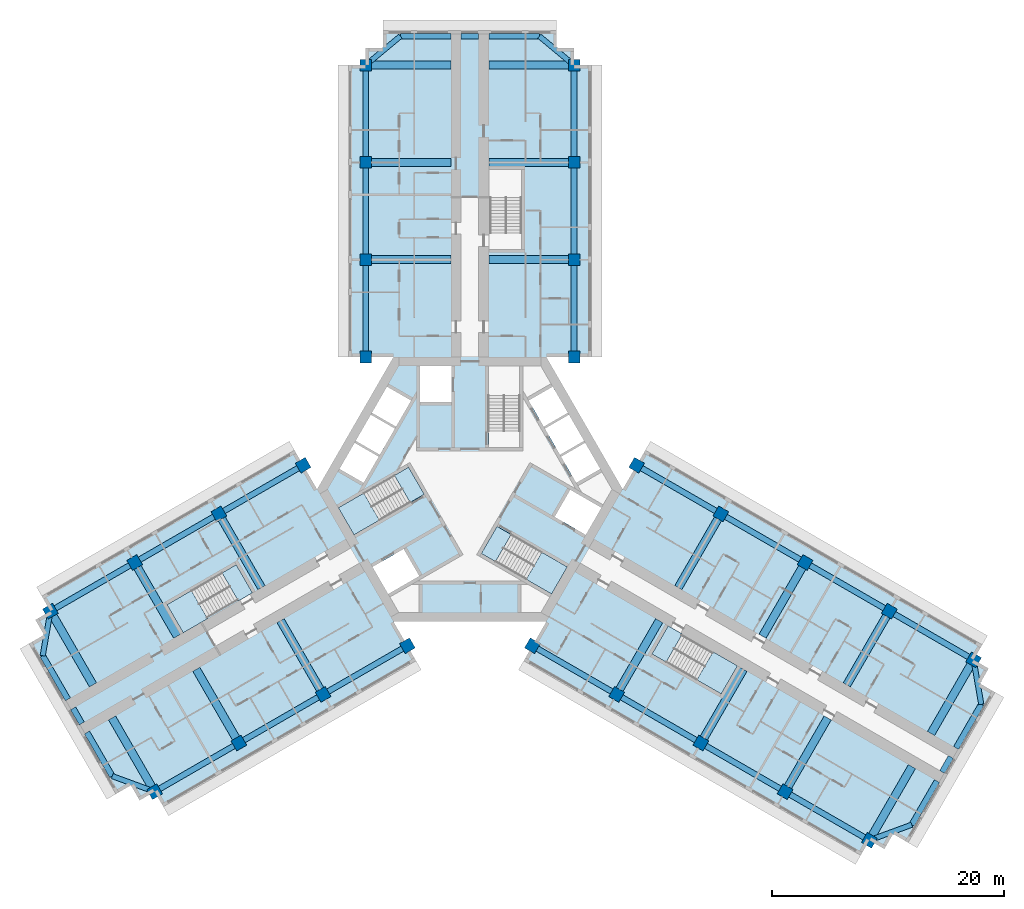
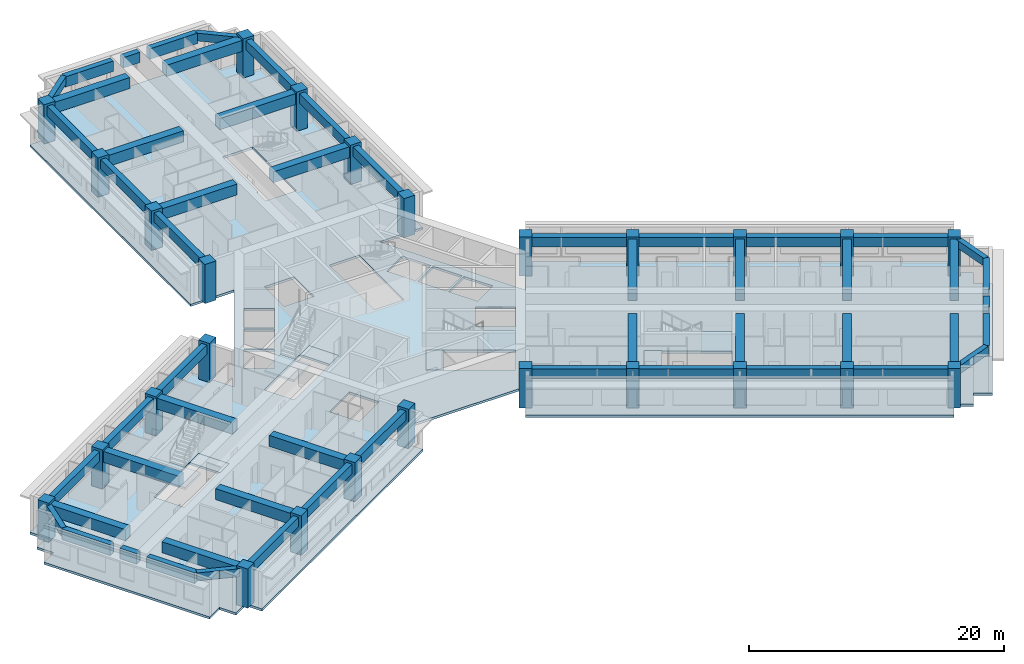
# One storey, part 1 of 14: 55 beams, 26 columns, 9 slabs, 4 elements without a shape of their own.
"""IFC4 building model written with IfcOpenShell, lengths in metres."""

from ifc_helpers import new_model, si_unit, direction, frame, origin, origin_2d, place, context, subcontext, project, spatial, polyline, rectangle, outline, extrude, material, layer, layer_set, material_profile, profile_set, type_object, element, aggregate, save


model = new_model("IFC4")

# Units and contexts
model_context = context("Model", 3, precision=1e-05, world=origin(), true_north=direction((0.0, 1.0)))
body_context = subcontext(model_context, "Body", "Model", "MODEL_VIEW")
ifc_project = project(units=[si_unit("LENGTHUNIT", "METRE"), si_unit("AREAUNIT", "SQUARE_METRE"), si_unit("VOLUMEUNIT", "CUBIC_METRE"), si_unit("PLANEANGLEUNIT", "RADIAN"), si_unit("MASSUNIT", "GRAM", prefix="KILO")], contexts=[model_context])

# Site, building, storey
site_placement = place(None, origin())
site = spatial("IfcSite", under=ifc_project, at=site_placement, CompositionType="ELEMENT")
building_placement = place(site_placement, origin())
building = spatial("IfcBuilding", under=site, at=building_placement, Name="Impinga Residences", CompositionType="ELEMENT")
storey_placement = place(building_placement, frame((0.0, 0.0, 147.25)))
storey = spatial("IfcBuildingStorey", under=building, at=storey_placement, Name="L36", CompositionType="ELEMENT", Elevation=147.25)

# Columns
ifc_material_1 = material(Name="Concrete C60/75", Category="concrete")
ifc_material_profile_1 = material_profile(ifc_material_1, rectangle(XDim=1.0, YDim=1.0, at=origin_2d()), Name="RC 1000x1000")
ifc_profile_set_1 = profile_set([ifc_material_profile_1], Name="Concrete C60/75")
column_type = type_object("IfcColumnType", Name="C3 1000x1000 column", PredefinedType="COLUMN", material=ifc_profile_set_1)
for number, where, z_axis, x_axis, name in (
    (1, (-9.0, 11.431640625, 0.0), (0.0, 0.0, 1.0), (1.0, 0.0, 0.0), "Column C3 N1/NA L36"),
    (2, (9.0, 11.431640625, 0.0), (0.0, 0.0, 1.0), (1.0, 0.0, 0.0), "Column C3 N1/NF L36"),
    (3, (-9.0, 19.83154296875, 0.0), (0.0, 0.0, 1.0), (1.0, 0.0, 0.0), "Column C3 N2/NA L36"),
    (4, (9.0, 19.83154296875, 0.0), (0.0, 0.0, 1.0), (1.0, 0.0, 0.0), "Column C3 N2/NF L36"),
    (5, (-9.0, 28.2314453125, 0.0), (0.0, 0.0, 1.0), (1.0, 0.0, 0.0), "Column C3 N3/NA L36"),
    (6, (9.0, 28.2314453125, 0.0), (0.0, 0.0, 1.0), (1.0, 0.0, 0.0), "Column C3 N3/NF L36"),
    (7, (-9.0, 36.631591796875, 0.0), (0.0, 0.0, 1.0), (1.0, 0.0, 0.0), "Column C3 N4/NA L36"),
    (8, (9.0, 36.631591796875, 0.0), (0.0, 0.0, 1.0), (1.0, 0.0, 0.0), "Column C3 N4/NF L36"),
    (9, (-5.39990234375, -13.510009765625, 0.0), (0.0, 0.0, 1.0), (-0.5, 0.866025403784, 0.0), "Column C3 W1/WA L36"),
    (10, (-14.39990234375, 2.078369140625, 0.0), (0.0, 0.0, 1.0), (-0.5, 0.866025403784, 0.0), "Column C3 W1/WF L36"),
    (11, (-12.674560546875, -17.7099609375, 0.0), (0.0, 0.0, 1.0), (-0.5, 0.866025403784, 0.0), "Column C3 W2/WA L36"),
    (12, (-21.674560546875, -2.12158203125, 0.0), (0.0, 0.0, 1.0), (-0.5, 0.866025403784, 0.0), "Column C3 W2/WF L36"),
    (13, (-19.94921875, -21.909912109375, 0.0), (0.0, 0.0, 1.0), (-0.5, 0.866025403784, 0.0), "Column C3 W3/WA L36"),
    (14, (-28.94921875, -6.321533203125, 0.0), (0.0, 0.0, 1.0), (-0.5, 0.866025403784, 0.0), "Column C3 W3/WF L36"),
    (15, (-27.223876953125, -26.110107421875, 0.0), (0.0, 0.0, 1.0), (-0.5, 0.866025403784, 0.0), "Column C3 W4/WA L36"),
    (16, (-36.223876953125, -10.521484375, 0.0), (0.0, 0.0, 1.0), (-0.5, 0.866025403784, 0.0), "Column C3 W4/WF L36"),
    (17, (14.39990234375, 2.078369140625, 0.0), (0.0, 0.0, 1.0), (-0.5, -0.866025403784, 0.0), "Column C3 E1/EA L36"),
    (18, (5.39990234375, -13.510009765625, 0.0), (0.0, 0.0, 1.0), (-0.5, -0.866025403784, 0.0), "Column C3 E1/EF L36"),
    (19, (21.674560546875, -2.12158203125, 0.0), (0.0, 0.0, 1.0), (-0.5, -0.866025403784, 0.0), "Column C3 E2/EA L36"),
    (20, (12.674560546875, -17.7099609375, 0.0), (0.0, 0.0, 1.0), (-0.5, -0.866025403784, 0.0), "Column C3 E2/EF L36"),
    (21, (28.94921875, -6.321533203125, 0.0), (0.0, 0.0, 1.0), (-0.5, -0.866025403784, 0.0), "Column C3 E3/EA L36"),
    (22, (19.94921875, -21.909912109375, 0.0), (0.0, 0.0, 1.0), (-0.5, -0.866025403784, 0.0), "Column C3 E3/EF L36"),
    (23, (36.223876953125, -10.521484375, 0.0), (0.0, 0.0, 1.0), (-0.5, -0.866025403784, 0.0), "Column C3 E4/EA L36"),
    (24, (27.223876953125, -26.110107421875, 0.0), (0.0, 0.0, 1.0), (-0.5, -0.866025403784, 0.0), "Column C3 E4/EF L36"),
    (25, (43.49853515625, -14.721435546875, 0.0), (0.0, 0.0, 1.0), (-0.5, -0.866025403784, 0.0), "Column C3 E5/EA L36"),
    (26, (34.49853515625, -30.31005859375, 0.0), (0.0, 0.0, 1.0), (-0.5, -0.866025403784, 0.0), "Column C3 E5/EF L36"),
):
    element("IfcColumn", number, at=place(storey_placement, frame(where, z_axis=z_axis, x_axis=x_axis)), inside=storey, type_object=column_type, Name=name, PredefinedType="COLUMN", context=body_context, shape_type="SweptSolid", body=[
        extrude(rectangle(XDim=1.0, YDim=1.0, at=origin_2d()), origin(), (0.0, 0.0, 1.0), 3.75),
    ])

# Beams
ifc_material_profile_2 = material_profile(ifc_material_1, rectangle(XDim=0.449951171875, YDim=0.75, at=origin_2d()), Name="RC 450x750")
ifc_profile_set_2 = profile_set([ifc_material_profile_2], Name="Concrete C60/75")
beam_type_1 = type_object("IfcBeamType", Name="CB1 450x750 wing end cantilever beam", PredefinedType="BEAM", material=ifc_profile_set_2)
for number, where, z_axis, x_axis, name in (
    (27, (-9.0, 36.631591796875, 3.155029296875), (0.768221279597, 0.640184399664, 0.0), (-0.640184399664, 0.768221279597, 0.0), "Beam CB1 NB N4-NX level L37"),
    (28, (9.0, 36.631591796875, 3.155029296875), (-0.768221279597, 0.640184399664, 0.0), (-0.640184399664, -0.768221279597, 0.0), "Beam CB1 NE N4-NX level L37"),
    (29, (-27.223876953125, -26.110107421875, 3.155029296875), (-0.938520178725, 0.345224382289, 0.0), (-0.345224382289, -0.938520178725, 0.0), "Beam CB1 WB W4-WX level L37"),
):
    element("IfcBeam", number, at=place(storey_placement, frame(where, z_axis=z_axis, x_axis=x_axis)), inside=storey, type_object=beam_type_1, Name=name, PredefinedType="BEAM", context=body_context, shape_type="SweptSolid", body=[
        extrude(rectangle(XDim=0.449951171875, YDim=0.75, at=origin_2d()), origin(), (0.0, 0.0, 1.0), 3.905029296875),
    ])
for number, where, z_axis, x_axis, name in (
    (30, (-36.223876953125, -10.521484375, 3.155029296875), (-0.170296298948, -0.985392901621, 0.0), (0.985392901621, -0.170296298948, 0.0), "Beam CB1 WE W4-WX level L37"),
    (31, (43.49853515625, -14.721435546875, 3.155029296875), (0.170296298948, -0.985392901621, 0.0), (0.985392901621, 0.170296298948, 0.0), "Beam CB1 EB E5-EX level L37"),
):
    element("IfcBeam", number, at=place(storey_placement, frame(where, z_axis=z_axis, x_axis=x_axis)), inside=storey, type_object=beam_type_1, Name=name, PredefinedType="BEAM", context=body_context, shape_type="SweptSolid", body=[
        extrude(rectangle(XDim=0.449951171875, YDim=0.75, at=origin_2d()), origin(), (0.0, 0.0, 1.0), 3.9052734375),
    ])
beam_1_placement = place(storey_placement, frame((34.49853515625, -30.31005859375, 3.155029296875), z_axis=(0.938520178725, 0.345224382289, 0.0), x_axis=(-0.345224382289, 0.938520178725, 0.0)))
element("IfcBeam", 32, at=beam_1_placement, inside=storey, type_object=beam_type_1, Name="Beam CB1 EE E5-EX level L37", PredefinedType="BEAM", context=body_context, shape_type="SweptSolid", body=[
    extrude(rectangle(XDim=0.449951171875, YDim=0.75, at=origin_2d()), origin(), (0.0, 0.0, 1.0), 3.905029296875),
])
ifc_material_profile_3 = material_profile(ifc_material_1, rectangle(XDim=0.699951171875, YDim=1.050048828125, at=origin_2d()), Name="RC 700x1050")
ifc_profile_set_3 = profile_set([ifc_material_profile_3], Name="Concrete C60/75")
beam_type_2 = type_object("IfcBeamType", Name="CG1 700x1050 cross girder on a wing bay line", PredefinedType="BEAM", material=ifc_profile_set_3)
for number, where, z_axis, x_axis, name in (
    (33, (-1.64990234375, 19.83154296875, 3.0048828125), (-1.0, 0.0, 0.0), (0.0, -1.0, 0.0), "Beam CG1 N2 NC/NA level L37"),
    (34, (-1.64990234375, 28.2314453125, 3.0048828125), (-1.0, 0.0, 0.0), (0.0, -1.0, 0.0), "Beam CG1 N3 NC/NA level L37"),
    (35, (-1.64990234375, 36.631591796875, 3.0048828125), (-1.0, 0.0, 0.0), (0.0, -1.0, 0.0), "Beam CG1 N4 NC/NA level L37"),
    (36, (1.64990234375, 19.83154296875, 3.0048828125), (1.0, 0.0, 0.0), (0.0, 1.0, 0.0), "Beam CG1 N2 NC/NF level L37"),
    (37, (1.64990234375, 28.2314453125, 3.0048828125), (1.0, 0.0, 0.0), (0.0, 1.0, 0.0), "Beam CG1 N3 NC/NF level L37"),
    (38, (1.64990234375, 36.631591796875, 3.0048828125), (1.0, 0.0, 0.0), (0.0, 1.0, 0.0), "Beam CG1 N4 NC/NF level L37"),
    (39, (-16.349609375, -11.3447265625, 3.0048828125), (0.500008066151, -0.86602074674, 0.0), (0.86602074674, 0.500008066151, 0.0), "Beam CG1 W2 WC/WA level L37"),
    (40, (-23.624267578125, -15.544677734375, 3.0048828125), (0.500008066151, -0.86602074674, 0.0), (0.86602074674, 0.500008066151, 0.0), "Beam CG1 W3 WC/WA level L37"),
    (41, (-30.89892578125, -19.74462890625, 3.0048828125), (0.499993683172, -0.866029050776, 0.0), (0.866029050776, 0.499993683172, 0.0), "Beam CG1 W4 WC/WA level L37"),
    (42, (-17.99951171875, -8.48681640625, 3.0048828125), (-0.500008066151, 0.86602074674, 0.0), (-0.86602074674, -0.500008066151, 0.0), "Beam CG1 W2 WC/WF level L37"),
    (43, (-25.274169921875, -12.686767578125, 3.0048828125), (-0.500008066151, 0.86602074674, 0.0), (-0.86602074674, -0.500008066151, 0.0), "Beam CG1 W3 WC/WF level L37"),
    (44, (-32.548828125, -16.88671875, 3.0048828125), (-0.500008066151, 0.86602074674, 0.0), (-0.86602074674, -0.500008066151, 0.0), "Beam CG1 W4 WC/WF level L37"),
    (45, (17.99951171875, -8.48681640625, 3.0048828125), (0.500008066151, 0.86602074674, 0.0), (-0.86602074674, 0.500008066151, 0.0), "Beam CG1 E2 EC/EA level L37"),
    (46, (25.274169921875, -12.686767578125, 3.0048828125), (0.500008066151, 0.86602074674, 0.0), (-0.86602074674, 0.500008066151, 0.0), "Beam CG1 E3 EC/EA level L37"),
    (47, (32.548828125, -16.88671875, 3.0048828125), (0.500008066151, 0.86602074674, 0.0), (-0.86602074674, 0.500008066151, 0.0), "Beam CG1 E4 EC/EA level L37"),
    (48, (39.823486328125, -21.0869140625, 3.0048828125), (0.499993683172, 0.866029050776, 0.0), (-0.866029050776, 0.499993683172, 0.0), "Beam CG1 E5 EC/EA level L37"),
    (49, (16.349609375, -11.3447265625, 3.0048828125), (-0.500008066151, -0.86602074674, 0.0), (0.86602074674, -0.500008066151, 0.0), "Beam CG1 E2 EC/EF level L37"),
    (50, (23.624267578125, -15.544677734375, 3.0048828125), (-0.500008066151, -0.86602074674, 0.0), (0.86602074674, -0.500008066151, 0.0), "Beam CG1 E3 EC/EF level L37"),
    (51, (30.89892578125, -19.74462890625, 3.0048828125), (-0.499993683172, -0.866029050776, 0.0), (0.866029050776, -0.499993683172, 0.0), "Beam CG1 E4 EC/EF level L37"),
):
    element("IfcBeam", number, at=place(storey_placement, frame(where, z_axis=z_axis, x_axis=x_axis)), inside=storey, type_object=beam_type_2, Name=name, PredefinedType="BEAM", context=body_context, shape_type="SweptSolid", body=[
        extrude(rectangle(XDim=0.699951171875, YDim=1.050048828125, at=origin_2d()), origin(), (0.0, 0.0, 1.0), 7.35009765625),
    ])
beam_2_placement = place(storey_placement, frame((38.17333984375, -23.94482421875, 3.0048828125), z_axis=(-0.499983153418, -0.866035129944, 0.0), x_axis=(0.866035129944, -0.499983153418, 0.0)))
element("IfcBeam", 52, at=beam_2_placement, inside=storey, type_object=beam_type_2, Name="Beam CG1 E5 EC/EF level L37", PredefinedType="BEAM", context=body_context, shape_type="SweptSolid", body=[
    extrude(rectangle(XDim=0.699951171875, YDim=1.050048828125, at=origin_2d()), origin(), (0.0, 0.0, 1.0), 7.349853515625),
])
ifc_material_profile_4 = material_profile(ifc_material_1, rectangle(XDim=0.5, YDim=1.0, at=origin_2d()), Name="RC 500x1000")
ifc_profile_set_4 = profile_set([ifc_material_profile_4], Name="Concrete C60/75")
beam_type_3 = type_object("IfcBeamType", Name="EB1 500x1000 wing end beam", PredefinedType="BEAM", material=ifc_profile_set_4)
beam_3_placement = place(storey_placement, frame((-6.0, 39.131591796875, 3.030029296875), z_axis=(1.0, 0.0, 0.0), x_axis=(0.0, 1.0, 0.0)))
element("IfcBeam", 53, at=beam_3_placement, inside=storey, type_object=beam_type_3, Name="Beam EB1 NX3 level L37", PredefinedType="BEAM", context=body_context, shape_type="SweptSolid", body=[
    extrude(rectangle(XDim=0.5, YDim=1.0, at=origin_2d()), origin(), (0.0, 0.0, 1.0), 4.35009765625),
])
beam_4_placement = place(storey_placement, frame((-0.75, 39.131591796875, 3.030029296875), z_axis=(1.0, 0.0, 0.0), x_axis=(0.0, 1.0, 0.0)))
element("IfcBeam", 54, at=beam_4_placement, inside=storey, type_object=beam_type_3, Name="Beam EB1 NX3 level L37", PredefinedType="BEAM", context=body_context, shape_type="SweptSolid", body=[
    extrude(rectangle(XDim=0.5, YDim=1.0, at=origin_2d()), origin(), (0.0, 0.0, 1.0), 1.5),
])
for number, where, z_axis, x_axis, name in (
    (55, (1.64990234375, 39.131591796875, 3.030029296875), (1.0, 0.0, 0.0), (0.0, 1.0, 0.0), "Beam EB1 NX3 level L37"),
    (56, (-30.888916015625, -24.761962890625, 3.030029296875), (-0.499996127374, 0.866027639635, 0.0), (-0.866027639635, -0.499996127374, 0.0), "Beam EB1 WX3 level L37"),
):
    element("IfcBeam", number, at=place(storey_placement, frame(where, z_axis=z_axis, x_axis=x_axis)), inside=storey, type_object=beam_type_3, Name=name, PredefinedType="BEAM", context=body_context, shape_type="SweptSolid", body=[
        extrude(rectangle(XDim=0.5, YDim=1.0, at=origin_2d()), origin(), (0.0, 0.0, 1.0), 4.35009765625),
    ])
beam_5_placement = place(storey_placement, frame((-33.513916015625, -20.21533203125, 3.030029296875), z_axis=(-0.499990139034, 0.866031096941, 0.0), x_axis=(-0.866031096941, -0.499990139034, 0.0)))
element("IfcBeam", 57, at=beam_5_placement, inside=storey, type_object=beam_type_3, Name="Beam EB1 WX3 level L37", PredefinedType="BEAM", context=body_context, shape_type="SweptSolid", body=[
    extrude(rectangle(XDim=0.5, YDim=1.0, at=origin_2d()), origin(), (0.0, 0.0, 1.0), 1.5),
])
beam_6_placement = place(storey_placement, frame((-34.7138671875, -18.13671875, 3.030029296875), z_axis=(-0.500020430026, 0.866013608182, 0.0), x_axis=(-0.866013608182, -0.500020430026, 0.0)))
element("IfcBeam", 58, at=beam_6_placement, inside=storey, type_object=beam_type_3, Name="Beam EB1 WX3 level L37", PredefinedType="BEAM", context=body_context, shape_type="SweptSolid", body=[
    extrude(rectangle(XDim=0.5, YDim=1.0, at=origin_2d()), origin(), (0.0, 0.0, 1.0), 4.349853515625),
])
beam_7_placement = place(storey_placement, frame((44.16357421875, -18.569580078125, 3.030029296875), z_axis=(-0.499996127374, -0.866027639635, 0.0), x_axis=(0.866027639635, -0.499996127374, 0.0)))
element("IfcBeam", 59, at=beam_7_placement, inside=storey, type_object=beam_type_3, Name="Beam EB1 EX4 level L37", PredefinedType="BEAM", context=body_context, shape_type="SweptSolid", body=[
    extrude(rectangle(XDim=0.5, YDim=1.0, at=origin_2d()), origin(), (0.0, 0.0, 1.0), 4.35009765625),
])
beam_8_placement = place(storey_placement, frame((41.53857421875, -23.1162109375, 3.030029296875), z_axis=(-0.499990139034, -0.866031096941, 0.0), x_axis=(0.866031096941, -0.499990139034, 0.0)))
element("IfcBeam", 60, at=beam_8_placement, inside=storey, type_object=beam_type_3, Name="Beam EB1 EX4 level L37", PredefinedType="BEAM", context=body_context, shape_type="SweptSolid", body=[
    extrude(rectangle(XDim=0.5, YDim=1.0, at=origin_2d()), origin(), (0.0, 0.0, 1.0), 1.5),
])
beam_9_placement = place(storey_placement, frame((40.338623046875, -25.19482421875, 3.030029296875), z_axis=(-0.500020430026, -0.866013608182, 0.0), x_axis=(0.866013608182, -0.500020430026, 0.0)))
element("IfcBeam", 61, at=beam_9_placement, inside=storey, type_object=beam_type_3, Name="Beam EB1 EX4 level L37", PredefinedType="BEAM", context=body_context, shape_type="SweptSolid", body=[
    extrude(rectangle(XDim=0.5, YDim=1.0, at=origin_2d()), origin(), (0.0, 0.0, 1.0), 4.349853515625),
])
ifc_material_profile_5 = material_profile(ifc_material_1, rectangle(XDim=0.5, YDim=0.89990234375, at=origin_2d()), Name="RC 500x900")
ifc_profile_set_5 = profile_set([ifc_material_profile_5], Name="Concrete C60/75")
beam_type_4 = type_object("IfcBeamType", Name="SB1 500x900 perimeter spandrel beam", PredefinedType="SPANDREL", material=ifc_profile_set_5)
for number, where, z_axis, x_axis, name in (
    (62, (-9.0, 11.431640625, 3.080078125), (0.0, 1.0, 0.0), (-1.0, 0.0, 0.0), "Beam SB1 NA N1-N2 level L37"),
    (63, (-9.0, 19.83154296875, 3.080078125), (0.0, 1.0, 0.0), (-1.0, 0.0, 0.0), "Beam SB1 NA N2-N3 level L37"),
):
    element("IfcBeam", number, at=place(storey_placement, frame(where, z_axis=z_axis, x_axis=x_axis)), inside=storey, type_object=beam_type_4, Name=name, PredefinedType="SPANDREL", context=body_context, shape_type="SweptSolid", body=[
        extrude(rectangle(XDim=0.5, YDim=0.89990234375, at=origin_2d()), origin(), (0.0, 0.0, 1.0), 8.39990234375),
    ])
beam_10_placement = place(storey_placement, frame((-9.0, 28.2314453125, 3.080078125), z_axis=(0.0, 1.0, 0.0), x_axis=(-1.0, 0.0, 0.0)))
element("IfcBeam", 64, at=beam_10_placement, inside=storey, type_object=beam_type_4, Name="Beam SB1 NA N3-N4 level L37", PredefinedType="SPANDREL", context=body_context, shape_type="SweptSolid", body=[
    extrude(rectangle(XDim=0.5, YDim=0.89990234375, at=origin_2d()), origin(), (0.0, 0.0, 1.0), 8.400146484375),
])
for number, where, z_axis, x_axis, name in (
    (65, (9.0, 11.431640625, 3.080078125), (0.0, 1.0, 0.0), (-1.0, 0.0, 0.0), "Beam SB1 NF N1-N2 level L37"),
    (66, (9.0, 19.83154296875, 3.080078125), (0.0, 1.0, 0.0), (-1.0, 0.0, 0.0), "Beam SB1 NF N2-N3 level L37"),
):
    element("IfcBeam", number, at=place(storey_placement, frame(where, z_axis=z_axis, x_axis=x_axis)), inside=storey, type_object=beam_type_4, Name=name, PredefinedType="SPANDREL", context=body_context, shape_type="SweptSolid", body=[
        extrude(rectangle(XDim=0.5, YDim=0.89990234375, at=origin_2d()), origin(), (0.0, 0.0, 1.0), 8.39990234375),
    ])
beam_11_placement = place(storey_placement, frame((9.0, 28.2314453125, 3.080078125), z_axis=(0.0, 1.0, 0.0), x_axis=(-1.0, 0.0, 0.0)))
element("IfcBeam", 67, at=beam_11_placement, inside=storey, type_object=beam_type_4, Name="Beam SB1 NF N3-N4 level L37", PredefinedType="SPANDREL", context=body_context, shape_type="SweptSolid", body=[
    extrude(rectangle(XDim=0.5, YDim=0.89990234375, at=origin_2d()), origin(), (0.0, 0.0, 1.0), 8.400146484375),
])
for number, where, z_axis, x_axis, name in (
    (68, (-5.39990234375, -13.510009765625, 3.080078125), (-0.86602925447, -0.499993330357, 0.0), (0.499993330357, -0.86602925447, 0.0), "Beam SB1 WA W1-W2 level L37"),
    (69, (-12.674560546875, -17.7099609375, 3.080078125), (-0.86602925447, -0.499993330357, 0.0), (0.499993330357, -0.86602925447, 0.0), "Beam SB1 WA W2-W3 level L37"),
):
    element("IfcBeam", number, at=place(storey_placement, frame(where, z_axis=z_axis, x_axis=x_axis)), inside=storey, type_object=beam_type_4, Name=name, PredefinedType="SPANDREL", context=body_context, shape_type="SweptSolid", body=[
        extrude(rectangle(XDim=0.5, YDim=0.89990234375, at=origin_2d()), origin(), (0.0, 0.0, 1.0), 8.39990234375),
    ])
beam_12_placement = place(storey_placement, frame((-19.94921875, -21.909912109375, 3.080078125), z_axis=(-0.866016669275, -0.500015128309, 0.0), x_axis=(0.500015128309, -0.866016669275, 0.0)))
element("IfcBeam", 70, at=beam_12_placement, inside=storey, type_object=beam_type_4, Name="Beam SB1 WA W3-W4 level L37", PredefinedType="SPANDREL", context=body_context, shape_type="SweptSolid", body=[
    extrude(rectangle(XDim=0.5, YDim=0.89990234375, at=origin_2d()), origin(), (0.0, 0.0, 1.0), 8.400146484375),
])
for number, where, z_axis, x_axis, name in (
    (71, (-14.39990234375, 2.078369140625, 3.080078125), (-0.86602925447, -0.499993330357, 0.0), (0.499993330357, -0.86602925447, 0.0), "Beam SB1 WF W1-W2 level L37"),
    (72, (-21.674560546875, -2.12158203125, 3.080078125), (-0.86602925447, -0.499993330357, 0.0), (0.499993330357, -0.86602925447, 0.0), "Beam SB1 WF W2-W3 level L37"),
    (73, (-28.94921875, -6.321533203125, 3.080078125), (-0.86602925447, -0.499993330357, 0.0), (0.499993330357, -0.86602925447, 0.0), "Beam SB1 WF W3-W4 level L37"),
    (74, (14.39990234375, 2.078369140625, 3.080078125), (0.86602925447, -0.499993330357, 0.0), (0.499993330357, 0.86602925447, 0.0), "Beam SB1 EA E1-E2 level L37"),
    (75, (21.674560546875, -2.12158203125, 3.080078125), (0.86602925447, -0.499993330357, 0.0), (0.499993330357, 0.86602925447, 0.0), "Beam SB1 EA E2-E3 level L37"),
    (76, (28.94921875, -6.321533203125, 3.080078125), (0.86602925447, -0.499993330357, 0.0), (0.499993330357, 0.86602925447, 0.0), "Beam SB1 EA E3-E4 level L37"),
    (77, (36.223876953125, -10.521484375, 3.080078125), (0.86602925447, -0.499993330357, 0.0), (0.499993330357, 0.86602925447, 0.0), "Beam SB1 EA E4-E5 level L37"),
    (78, (5.39990234375, -13.510009765625, 3.080078125), (0.86602925447, -0.499993330357, 0.0), (0.499993330357, 0.86602925447, 0.0), "Beam SB1 EF E1-E2 level L37"),
    (79, (12.674560546875, -17.7099609375, 3.080078125), (0.86602925447, -0.499993330357, 0.0), (0.499993330357, 0.86602925447, 0.0), "Beam SB1 EF E2-E3 level L37"),
):
    element("IfcBeam", number, at=place(storey_placement, frame(where, z_axis=z_axis, x_axis=x_axis)), inside=storey, type_object=beam_type_4, Name=name, PredefinedType="SPANDREL", context=body_context, shape_type="SweptSolid", body=[
        extrude(rectangle(XDim=0.5, YDim=0.89990234375, at=origin_2d()), origin(), (0.0, 0.0, 1.0), 8.39990234375),
    ])
beam_13_placement = place(storey_placement, frame((19.94921875, -21.909912109375, 3.080078125), z_axis=(0.866016669275, -0.500015128309, 0.0), x_axis=(0.500015128309, 0.866016669275, 0.0)))
element("IfcBeam", 80, at=beam_13_placement, inside=storey, type_object=beam_type_4, Name="Beam SB1 EF E3-E4 level L37", PredefinedType="SPANDREL", context=body_context, shape_type="SweptSolid", body=[
    extrude(rectangle(XDim=0.5, YDim=0.89990234375, at=origin_2d()), origin(), (0.0, 0.0, 1.0), 8.400146484375),
])
beam_14_placement = place(storey_placement, frame((27.223876953125, -26.110107421875, 3.080078125), z_axis=(0.86602925447, -0.499993330357, 0.0), x_axis=(0.499993330357, 0.86602925447, 0.0)))
element("IfcBeam", 81, at=beam_14_placement, inside=storey, type_object=beam_type_4, Name="Beam SB1 EF E4-E5 level L37", PredefinedType="SPANDREL", context=body_context, shape_type="SweptSolid", body=[
    extrude(rectangle(XDim=0.5, YDim=0.89990234375, at=origin_2d()), origin(), (0.0, 0.0, 1.0), 8.39990234375),
])

# Slab
ifc_layer_1 = layer(ifc_material_1, 0.219970703125)
ifc_layer_set_1 = layer_set([ifc_layer_1], Name="Concrete C60/75")
slab_type_1 = type_object("IfcSlabType", Name="FS1 tower floor slab 220", PredefinedType="FLOOR", material=ifc_layer_set_1)
slab_1_placement = place(storey_placement, frame((0.0, 0.0, -0.219970703125)))
element("IfcSlab", 82, at=slab_1_placement, inside=storey, type_object=slab_type_1, Name="Floor slab FS1 L36", PredefinedType="FLOOR", context=body_context, shape_type="SweptSolid", body=[
    extrude(outline(polyline([(43.49853515625, -14.721435546875), (44.797607421875, -15.471435546875), (44.047607421875, -16.7705078125), (45.346435546875, -17.5205078125), (37.846435546875, -30.510986328125), (36.547607421875, -29.760986328125), (35.797607421875, -31.06005859375), (34.49853515625, -30.31005859375), (33.74853515625, -31.609130859375), (4.64990234375, -14.80908203125), (9.900146484375, -5.7158203125), (6.60009765625, -11.431640625), (-6.60009765625, -11.431640625), (-9.900146484375, -5.7158203125), (-4.64990234375, -14.80908203125), (-26.473876953125, -27.408935546875), (-27.223876953125, -26.110107421875), (-28.52294921875, -26.860107421875), (-29.27294921875, -25.56103515625), (-30.572021484375, -26.31103515625), (-38.072021484375, -13.320556640625), (-36.77294921875, -12.570556640625), (-37.52294921875, -11.271484375), (-36.223876953125, -10.521484375), (-36.973876953125, -9.222412109375), (-15.14990234375, 3.37744140625), (-13.199951171875, 0.0), (-6.60009765625, 11.431640625), (-10.5, 11.431640625), (-10.5, 36.631591796875), (-9.0, 36.631591796875), (-9.0, 38.131591796875), (-7.5, 38.131591796875), (-7.5, 39.631591796875), (7.5, 39.631591796875), (7.5, 38.131591796875), (9.0, 38.131591796875), (9.0, 36.631591796875), (10.5, 36.631591796875), (10.5, 11.431640625), (6.60009765625, 11.431640625), (13.199951171875, 0.0), (15.14990234375, 3.37744140625), (44.24853515625, -13.422607421875), (43.49853515625, -14.721435546875)]), holes=[polyline([(-18.779052734375, -8.936767578125), (-18.8291015625, -8.850341796875), (-18.8291015625, -8.850341796875), (-20.178955078125, -6.511962890625), (-21.391357421875, -7.2119140625), (-21.391357421875, -7.2119140625), (-26.154541015625, -9.9619140625), (-24.8046875, -12.30029296875), (-20.04150390625, -9.55029296875), (-19.991455078125, -9.63671875), (-18.779052734375, -8.936767578125)]), polyline([(-4.37109375, -7.489013671875), (-5.72119140625, -5.150634765625), (-8.4072265625, -6.701416015625), (-7.05712890625, -9.039794921875), (-4.37109375, -7.489013671875)]), polyline([(-3.943603515625, -0.429443359375), (-5.293701171875, 1.908935546875), (-11.357177734375, -1.591796875), (-10.007080078125, -3.93017578125), (-3.943603515625, -0.429443359375)]), polyline([(-7.878662109375, 2.816650390625), (-9.957275390625, 4.016845703125), (-11.257080078125, 1.76513671875), (-9.1787109375, 0.56494140625), (-7.878662109375, 2.816650390625)]), polyline([(-6.478759765625, 5.24169921875), (-8.55712890625, 6.441650390625), (-9.857177734375, 4.18994140625), (-7.77880859375, 2.989990234375), (-6.478759765625, 5.24169921875)]), polyline([(4.300048828125, 3.6298828125), (4.300048828125, 10.631591796875), (1.60009765625, 10.631591796875), (1.60009765625, 3.6298828125), (4.300048828125, 3.6298828125)]), polyline([(-6.378662109375, 5.414794921875), (-5.07861328125, 7.66650390625), (-7.1572265625, 8.866455078125), (-8.457275390625, 6.61474609375), (-6.378662109375, 5.414794921875)]), polyline([(-4.300048828125, 7.530029296875), (-1.60009765625, 7.530029296875), (-1.60009765625, 10.631591796875), (-4.300048828125, 10.631591796875), (-4.300048828125, 7.530029296875)]), polyline([(4.449951171875, 20.7314453125), (4.449951171875, 22.131591796875), (4.449951171875, 27.631591796875), (1.75, 27.631591796875), (1.75, 22.131591796875), (1.64990234375, 22.131591796875), (1.64990234375, 20.7314453125), (1.75, 20.7314453125), (4.449951171875, 20.7314453125)]), polyline([(15.72900390625, -14.219482421875), (21.70458984375, -17.669677734375), (23.0546875, -15.331298828125), (18.29150390625, -12.581298828125), (18.341552734375, -12.49462890625), (17.129150390625, -11.794677734375), (15.72900390625, -14.219482421875)]), polyline([(2.34375, -3.20068359375), (0.99365234375, -5.538818359375), (7.05712890625, -9.039794921875), (8.4072265625, -6.701416015625), (2.34375, -3.20068359375)]), polyline([(7.3212890625, -2.37939453125), (10.007080078125, -3.93017578125), (11.357177734375, -1.591796875), (8.671142578125, -0.041015625), (7.3212890625, -2.37939453125)]), polyline([(7.878662109375, 2.816650390625), (9.1787109375, 0.56494140625), (11.257080078125, 1.76513671875), (9.957275390625, 4.016845703125), (7.878662109375, 2.816650390625)]), polyline([(6.478759765625, 5.24169921875), (7.77880859375, 2.989990234375), (9.857177734375, 4.18994140625), (8.55712890625, 6.441650390625), (6.478759765625, 5.24169921875)]), polyline([(6.378662109375, 5.414794921875), (8.457275390625, 6.61474609375), (7.1572265625, 8.866455078125), (5.07861328125, 7.66650390625), (6.378662109375, 5.414794921875)])]), origin(), (0.0, 0.0, 1.0), 0.219970703125),
])

# Stair, slabs
ifc_material_2 = material(Name="Concrete C40/50", Category="concrete")
stair_type_1 = type_object("IfcStairType", Name="STR core stair 3750 storey, 24 risers", PredefinedType="HALF_TURN_STAIR", material=ifc_material_2)
stair_1_placement = place(storey_placement, origin())
stair_1 = element("IfcStair", 83, at=stair_1_placement, inside=storey, type_object=stair_type_1, Name="Stair ST2 L36", PredefinedType="HALF_TURN_STAIR")
ifc_layer_2 = layer(ifc_material_2, 0.199951171875)
ifc_layer_set_2 = layer_set([ifc_layer_2], Name="Concrete C40/50")
slab_type_2 = type_object("IfcSlabType", Name="LS1 stair landing 200", PredefinedType="LANDING", material=ifc_layer_set_2)
slab_2_placement = place(storey_placement, frame((0.0, 0.0, -0.199951171875)))
slab_2 = element("IfcSlab", 84, at=slab_2_placement, type_object=slab_type_2, Name="ST2 landing 1", PredefinedType="LANDING", context=body_context, shape_type="SweptSolid", body=[
    extrude(outline(polyline([(-3.943603515625, -0.429443359375), (-5.293701171875, 1.908935546875), (-6.5146484375, 1.203857421875), (-5.164794921875, -1.13427734375), (-3.943603515625, -0.429443359375)])), origin(), (0.0, 0.0, 1.0), 0.199951171875),
])
slab_3_placement = place(storey_placement, frame((0.0, 0.0, 1.675048828125)))
slab_3 = element("IfcSlab", 85, at=slab_3_placement, type_object=slab_type_2, Name="ST2 landing 2", PredefinedType="LANDING", context=body_context, shape_type="SweptSolid", body=[
    extrude(outline(polyline([(-7.814697265625, -2.664306640625), (-9.164794921875, -0.326171875), (-11.357177734375, -1.591796875), (-10.007080078125, -3.93017578125), (-7.814697265625, -2.664306640625)])), origin(), (0.0, 0.0, 1.0), 0.199951171875),
])
aggregate(stair_1, [slab_2, slab_3])

stair_2_placement = place(storey_placement, origin())
stair_2 = element("IfcStair", 86, at=stair_2_placement, inside=storey, type_object=stair_type_1, Name="Stair ST3 L36", PredefinedType="HALF_TURN_STAIR")
slab_4_placement = place(storey_placement, frame((0.0, 0.0, -0.199951171875)))
slab_4 = element("IfcSlab", 87, at=slab_4_placement, type_object=slab_type_2, Name="ST3 landing 1", PredefinedType="LANDING", context=body_context, shape_type="SweptSolid", body=[
    extrude(outline(polyline([(2.34375, -3.20068359375), (0.99365234375, -5.538818359375), (2.21484375, -6.243896484375), (3.564697265625, -3.90576171875), (2.34375, -3.20068359375)])), origin(), (0.0, 0.0, 1.0), 0.199951171875),
])
slab_5_placement = place(storey_placement, frame((0.0, 0.0, 1.675048828125)))
slab_5 = element("IfcSlab", 88, at=slab_5_placement, type_object=slab_type_2, Name="ST3 landing 2", PredefinedType="LANDING", context=body_context, shape_type="SweptSolid", body=[
    extrude(outline(polyline([(6.21484375, -5.435546875), (4.86474609375, -7.77392578125), (7.05712890625, -9.039794921875), (8.4072265625, -6.701416015625), (6.21484375, -5.435546875)])), origin(), (0.0, 0.0, 1.0), 0.199951171875),
])
aggregate(stair_2, [slab_4, slab_5])

stair_type_2 = type_object("IfcStairType", Name="STR wing stair 3750 storey, 24 risers", PredefinedType="HALF_TURN_STAIR", material=ifc_material_2)
stair_3_placement = place(storey_placement, origin())
stair_3 = element("IfcStair", 89, at=stair_3_placement, inside=storey, type_object=stair_type_2, Name="Stair WS2 L36", PredefinedType="HALF_TURN_STAIR")
slab_6_placement = place(storey_placement, frame((0.0, 0.0, -0.199951171875)))
slab_6 = element("IfcSlab", 90, at=slab_6_placement, type_object=slab_type_2, Name="WS2 landing 1", PredefinedType="LANDING", context=body_context, shape_type="SweptSolid", body=[
    extrude(outline(polyline([(-18.779052734375, -8.936767578125), (-20.178955078125, -6.511962890625), (-21.400146484375, -7.217041015625), (-20.000244140625, -9.641845703125), (-18.779052734375, -8.936767578125)])), origin(), (0.0, 0.0, 1.0), 0.199951171875),
])
slab_7_placement = place(storey_placement, frame((0.0, 0.0, 1.675048828125)))
slab_7 = element("IfcSlab", 91, at=slab_7_placement, type_object=slab_type_2, Name="WS2 landing 2", PredefinedType="LANDING", context=body_context, shape_type="SweptSolid", body=[
    extrude(outline(polyline([(-22.650146484375, -11.171875), (-24.050048828125, -8.7470703125), (-26.154541015625, -9.9619140625), (-24.754638671875, -12.38671875), (-22.650146484375, -11.171875)])), origin(), (0.0, 0.0, 1.0), 0.199951171875),
])
aggregate(stair_3, [slab_6, slab_7])

stair_4_placement = place(storey_placement, origin())
stair_4 = element("IfcStair", 92, at=stair_4_placement, inside=storey, type_object=stair_type_2, Name="Stair WS3 L36", PredefinedType="HALF_TURN_STAIR")
slab_8_placement = place(storey_placement, frame((0.0, 0.0, -0.199951171875)))
slab_8 = element("IfcSlab", 93, at=slab_8_placement, type_object=slab_type_2, Name="WS3 landing 1", PredefinedType="LANDING", context=body_context, shape_type="SweptSolid", body=[
    extrude(outline(polyline([(17.129150390625, -11.794677734375), (15.72900390625, -14.219482421875), (16.9501953125, -14.924560546875), (18.35009765625, -12.499755859375), (17.129150390625, -11.794677734375)])), origin(), (0.0, 0.0, 1.0), 0.199951171875),
])
slab_9_placement = place(storey_placement, frame((0.0, 0.0, 1.675048828125)))
slab_9 = element("IfcSlab", 94, at=slab_9_placement, type_object=slab_type_2, Name="WS3 landing 2", PredefinedType="LANDING", context=body_context, shape_type="SweptSolid", body=[
    extrude(outline(polyline([(21.000244140625, -14.02978515625), (19.60009765625, -16.45458984375), (21.70458984375, -17.669677734375), (23.1044921875, -15.24462890625), (21.000244140625, -14.02978515625)])), origin(), (0.0, 0.0, 1.0), 0.199951171875),
])
aggregate(stair_4, [slab_8, slab_9])

save(model, "model.ifc")
